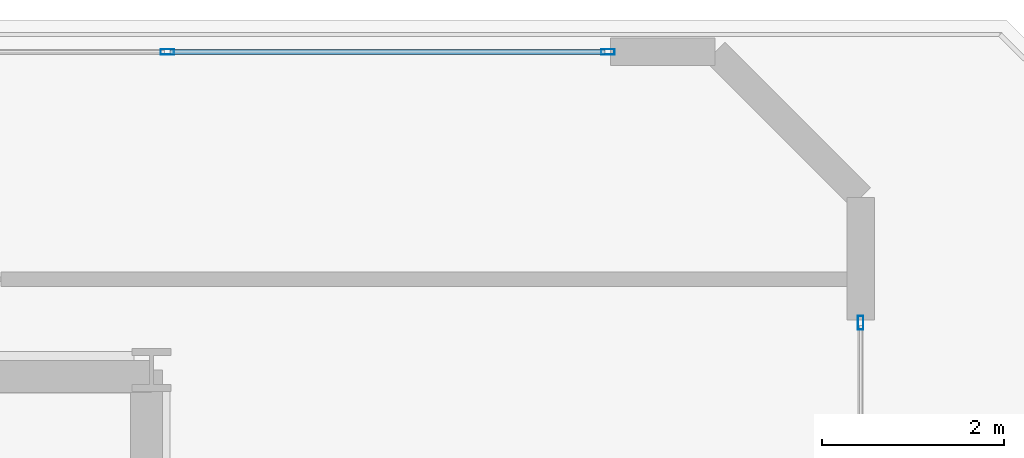
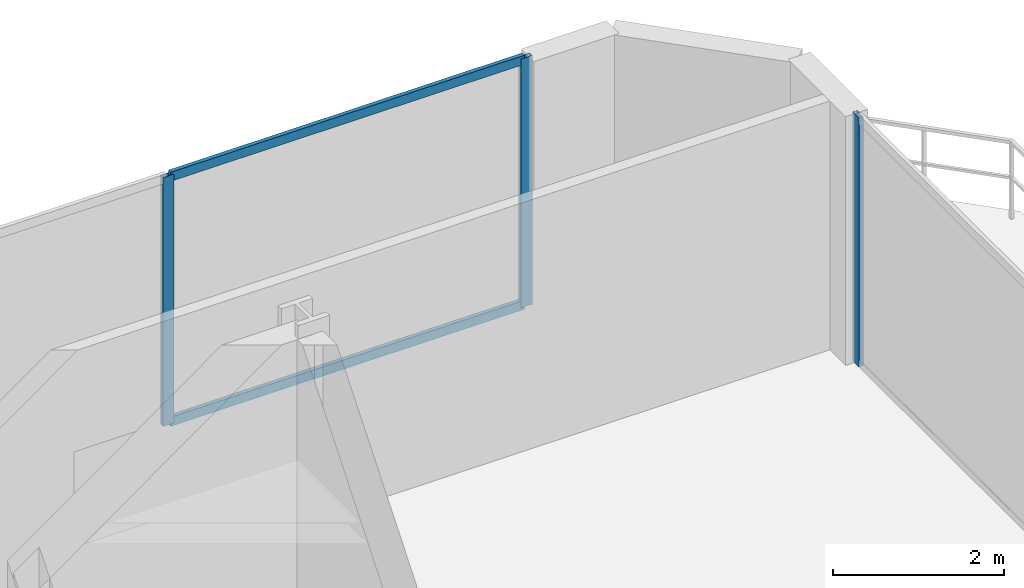
# One storey, part 12 of 16: 5 members, 2 elements without a shape of their own.
"""IFC4 building model written with IfcOpenShell, lengths in metres."""

from ifc_helpers import new_model, si_unit, direction, frame, origin, origin_2d, place, context, subcontext, project, spatial, hollow_rectangle, extrude, material, layer, layer_set, material_profile, profile_set, type_object, element, aggregate, save


model = new_model("IFC4")

# Units and contexts
model_context = context("Model", 3, precision=1e-05, world=origin(), true_north=direction((0.0, 1.0)))
body_context = subcontext(model_context, "Body", "Model", "MODEL_VIEW")
ifc_project = project(units=[si_unit("LENGTHUNIT", "METRE"), si_unit("AREAUNIT", "SQUARE_METRE"), si_unit("VOLUMEUNIT", "CUBIC_METRE"), si_unit("PLANEANGLEUNIT", "RADIAN"), si_unit("MASSUNIT", "GRAM", prefix="KILO")], contexts=[model_context])

# Site, building, storey
site_placement = place(None, origin())
site = spatial("IfcSite", under=ifc_project, at=site_placement, CompositionType="ELEMENT")
building_placement = place(site_placement, origin())
building = spatial("IfcBuilding", under=site, at=building_placement, Name="Zuhayl Quay Hotel", CompositionType="ELEMENT")
storey_placement = place(building_placement, frame((0.0, 0.0, 308.64990234375)))
storey = spatial("IfcBuildingStorey", under=building, at=storey_placement, Name="Crown 4", CompositionType="ELEMENT", Elevation=308.64990234375)

# Curtain wall, members
ifc_material_1 = material(Name="Anodised Aluminium 6063-T6", Category="aluminium")
ifc_layer = layer(ifc_material_1, 0.159912109375, Name="Anodised Aluminium 6063-T6", Category="aluminium")
ifc_layer_set = layer_set([ifc_layer], Name="Anodised Aluminium 6063-T6")
curtain_wall_type = type_object("IfcCurtainWallType", Name="CW_SYS_CRN", PredefinedType="USERDEFINED", material=ifc_layer_set)
curtain_wall_1_placement = place(storey_placement, origin())
curtain_wall_1 = element("IfcCurtainWall", 1, at=curtain_wall_1_placement, inside=storey, type_object=curtain_wall_type, Name="Crown 4 Curtain Wall ENV_CR4_E3_CW1", ObjectType="UNITISED CURTAIN WALL", PredefinedType="USERDEFINED")
ifc_material_2 = material(Name="Black-anodised aluminium 6063-T6", Category="aluminium")
ifc_material_profile_1 = material_profile(ifc_material_2, hollow_rectangle(XDim=0.06005859375, YDim=0.14990234375, WallThickness=0.00341796875, at=origin_2d()), Name="ALU150X60")
ifc_profile_set_1 = profile_set([ifc_material_profile_1], Name="Black-anodised aluminium 6063-T6")
member_type_1 = type_object("IfcMemberType", Name="MB_CW_MUL_150", PredefinedType="MULLION", material=ifc_profile_set_1)
member_1_placement = place(storey_placement, frame((1.77490234375, 37.949951171875, 0.0), z_axis=(0.0, 0.0, 1.0), x_axis=(0.0, 1.0, 0.0)))
member_1 = element("IfcMember", 2, at=member_1_placement, type_object=member_type_1, Name="CW-CRN mullion 4", PredefinedType="MULLION", context=body_context, shape_type="SweptSolid", body=[
    extrude(hollow_rectangle(XDim=0.06005859375, YDim=0.14990234375, WallThickness=0.00341796875, at=origin_2d()), origin(), (0.0, 0.0, 1.0), 3.56005859375),
])
member_2_placement = place(storey_placement, frame((6.6201171875, 37.949951171875, 0.0), z_axis=(0.0, 0.0, 1.0), x_axis=(0.0, 1.0, 0.0)))
member_2 = element("IfcMember", 3, at=member_2_placement, type_object=member_type_1, Name="CW-CRN mullion 5", PredefinedType="MULLION", context=body_context, shape_type="SweptSolid", body=[
    extrude(hollow_rectangle(XDim=0.06005859375, YDim=0.14990234375, WallThickness=0.00341796875, at=origin_2d()), origin(), (0.0, 0.0, 1.0), 3.56005859375),
])

# Curtain wall, member
curtain_wall_2_placement = place(storey_placement, origin())
curtain_wall_2 = element("IfcCurtainWall", 4, at=curtain_wall_2_placement, inside=storey, type_object=curtain_wall_type, Name="Crown 4 Curtain Wall ENV_CR4_E5_CW1", ObjectType="UNITISED CURTAIN WALL", PredefinedType="USERDEFINED")
member_3_placement = place(storey_placement, frame((9.39990234375, 34.969970703125, 0.0), z_axis=(0.0, 0.0, 1.0), x_axis=(1.0, 0.0, 0.0)))
member_3 = element("IfcMember", 5, at=member_3_placement, type_object=member_type_1, Name="CW-CRN mullion 1", PredefinedType="MULLION", context=body_context, shape_type="SweptSolid", body=[
    extrude(hollow_rectangle(XDim=0.06005859375, YDim=0.14990234375, WallThickness=0.00341796875, at=origin_2d()), origin(), (0.0, 0.0, 1.0), 3.56005859375),
])
aggregate(curtain_wall_2, [member_3])

# Member
ifc_material_profile_2 = material_profile(ifc_material_2, hollow_rectangle(XDim=0.054931640625, YDim=0.1298828125, WallThickness=0.0029296875, at=origin_2d()), Name="ALU130X55")
ifc_profile_set_2 = profile_set([ifc_material_profile_2], Name="Black-anodised aluminium 6063-T6")
member_type_2 = type_object("IfcMemberType", Name="MB_CW_TRN_130", PredefinedType="USERDEFINED", material=ifc_profile_set_2)
member_4_placement = place(storey_placement, frame((1.804931640625, 37.949951171875, 0.027587890625), z_axis=(1.0, 0.0, 0.0), x_axis=(0.0, 1.0, 0.0)))
member_4 = element("IfcMember", 6, at=member_4_placement, type_object=member_type_2, Name="CW-CRN transom 4.1", ObjectType="TRANSOM", PredefinedType="USERDEFINED", context=body_context, shape_type="SweptSolid", body=[
    extrude(hollow_rectangle(XDim=0.054931640625, YDim=0.1298828125, WallThickness=0.0029296875, at=origin_2d()), origin(), (0.0, 0.0, 1.0), 4.78515625),
])

member_5_placement = place(storey_placement, frame((1.804931640625, 37.949951171875, 3.53271484375), z_axis=(1.0, 0.0, 0.0), x_axis=(0.0, 1.0, 0.0)))
member_5 = element("IfcMember", 7, at=member_5_placement, type_object=member_type_2, Name="CW-CRN transom 4.2", ObjectType="TRANSOM", PredefinedType="USERDEFINED", context=body_context, shape_type="SweptSolid", body=[
    extrude(hollow_rectangle(XDim=0.054931640625, YDim=0.1298828125, WallThickness=0.0029296875, at=origin_2d()), origin(), (0.0, 0.0, 1.0), 4.78515625),
])

aggregate(curtain_wall_1, [member_1, member_2, member_4, member_5])

save(model, "model.ifc")
